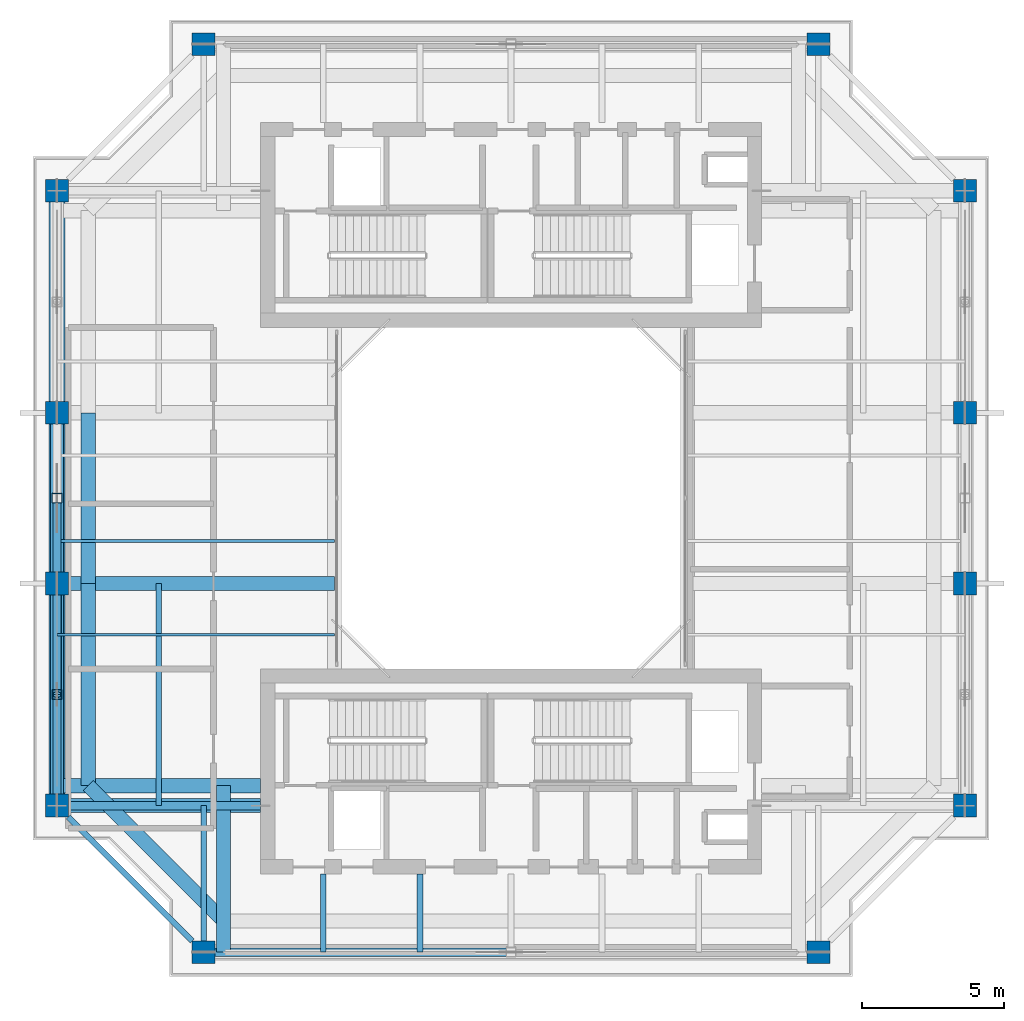
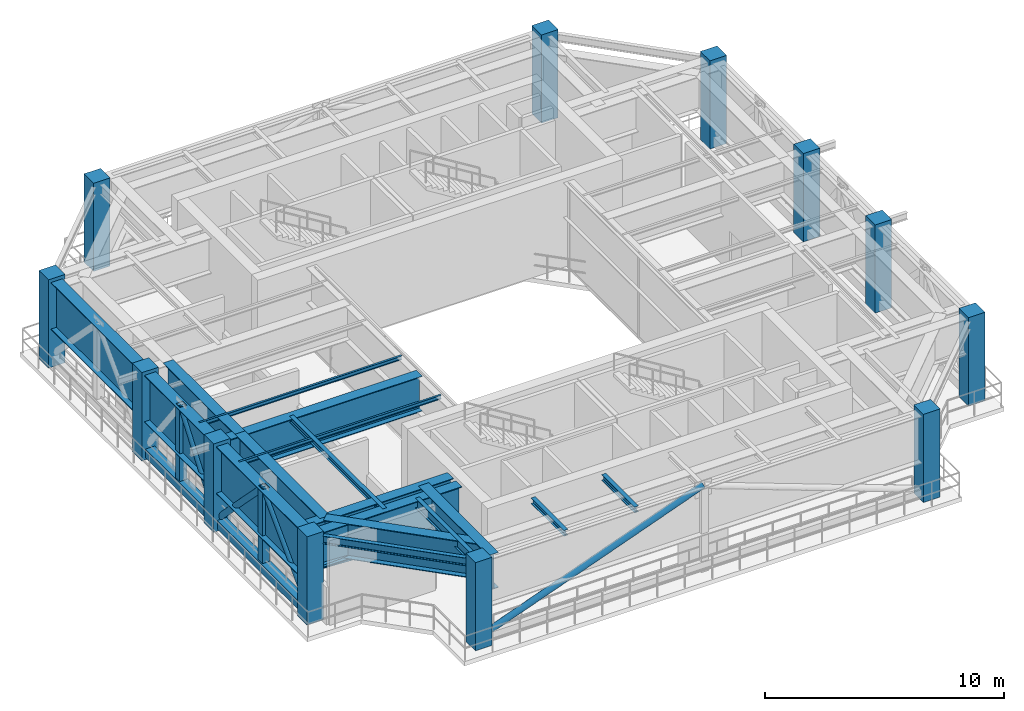
# One storey, part 1 of 10: 15 beams, 12 columns, 9 members.
"""IFC4 building model written with IfcOpenShell, lengths in metres."""

from ifc_helpers import new_model, si_unit, direction, frame, origin, origin_2d, place, context, subcontext, project, spatial, rectangle, hollow_rectangle, hollow_circle, i_section, extrude, source, transform, mapped, material, material_profile, profile_set, type_object, element, save


model = new_model("IFC4")

# Units and contexts
model_context = context("Model", 3, precision=1e-05, world=origin(), true_north=direction((0.0, 1.0)))
body_context = subcontext(model_context, "Body", "Model", "MODEL_VIEW")
ifc_project = project(units=[si_unit("LENGTHUNIT", "METRE"), si_unit("AREAUNIT", "SQUARE_METRE"), si_unit("VOLUMEUNIT", "CUBIC_METRE"), si_unit("PLANEANGLEUNIT", "RADIAN"), si_unit("MASSUNIT", "GRAM", prefix="KILO"), si_unit("THERMODYNAMICTEMPERATUREUNIT", "KELVIN"), si_unit("POWERUNIT", "WATT")], contexts=[model_context])

# Site, building, storey
site_placement = place(None, origin())
site = spatial("IfcSite", under=ifc_project, at=site_placement, CompositionType="ELEMENT")
building_placement = place(site_placement, origin())
building = spatial("IfcBuilding", under=site, at=building_placement, Name="Qiaomeng Ring Towers", CompositionType="ELEMENT")
storey_placement = place(building_placement, frame((0.0, 0.0, 232.75)))
storey = spatial("IfcBuildingStorey", under=building, at=storey_placement, Name="L68", CompositionType="ELEMENT", Elevation=232.75)

# Columns
ifc_material_1 = material(Name="Concrete C40", Category="concrete")
ifc_material_profile_1 = material_profile(ifc_material_1, rectangle(XDim=0.800048828125, YDim=0.800048828125, at=origin_2d()), Name="RC COL 800x800")
ifc_profile_set_1 = profile_set([ifc_material_profile_1], Name="Concrete C40")
column_type = type_object("IfcColumnType", Name="STR-COL-800-C40", PredefinedType="COLUMN", material=ifc_profile_set_1)
shared_shape_1 = source(origin(), body_context, "Body", "SweptSolid", [
    extrude(rectangle(XDim=0.800048828125, YDim=0.800048828125, at=origin_2d()), origin(), (0.0, 0.0, 1.0), 4.5),
])
for number, where, z_axis, x_axis, name in (
    (1, (8.199951171875, 7.050048828125, 0.0), (0.0, 0.0, 1.0), (1.0, 0.0, 0.0), "L68 column STR-COL-L68-T1-S1"),
    (2, (29.800048828125, 7.050048828125, 0.0), (0.0, 0.0, 1.0), (1.0, 0.0, 0.0), "L68 column STR-COL-L68-T1-S2"),
    (3, (34.949951171875, 12.199951171875, 0.0), (0.0, 0.0, 1.0), (1.0, 0.0, 0.0), "L68 column STR-COL-L68-T1-E1"),
    (4, (34.949951171875, 20.0, 0.0), (0.0, 0.0, 1.0), (1.0, 0.0, 0.0), "L68 column STR-COL-L68-T1-E2"),
    (5, (34.949951171875, 26.0, 0.0), (0.0, 0.0, 1.0), (1.0, 0.0, 0.0), "L68 column STR-COL-L68-T1-E3"),
    (6, (34.949951171875, 33.800048828125, 0.0), (0.0, 0.0, 1.0), (1.0, 0.0, 0.0), "L68 column STR-COL-L68-T1-E4"),
    (7, (29.800048828125, 38.949951171875, 0.0), (0.0, 0.0, 1.0), (1.0, 0.0, 0.0), "L68 column STR-COL-L68-T1-N2"),
    (8, (8.199951171875, 38.949951171875, 0.0), (0.0, 0.0, 1.0), (1.0, 0.0, 0.0), "L68 column STR-COL-L68-T1-N1"),
    (9, (3.050048828125, 33.800048828125, 0.0), (0.0, 0.0, 1.0), (1.0, 0.0, 0.0), "L68 column STR-COL-L68-T1-W4"),
    (10, (3.050048828125, 26.0, 0.0), (0.0, 0.0, 1.0), (1.0, 0.0, 0.0), "L68 column STR-COL-L68-T1-W3"),
    (11, (3.050048828125, 20.0, 0.0), (0.0, 0.0, 1.0), (1.0, 0.0, 0.0), "L68 column STR-COL-L68-T1-W2"),
    (12, (3.050048828125, 12.199951171875, 0.0), (0.0, 0.0, 1.0), (1.0, 0.0, 0.0), "L68 column STR-COL-L68-T1-W1"),
):
    element("IfcColumn", number, at=place(storey_placement, frame(where, z_axis=z_axis, x_axis=x_axis)), inside=storey, type_object=column_type, Name=name, PredefinedType="COLUMN", context=body_context, shape_type="MappedRepresentation", body=[
        mapped(shared_shape_1, transform((0.0, 0.0, 0.0), x_axis=(1.0, 0.0, 0.0), y_axis=(0.0, 1.0, 0.0), z_axis=(0.0, 0.0, 1.0), scale=1.0)),
    ])

# Members
ifc_material_2 = material(Name="Steel Q390GJC", Category="steel")
ifc_material_profile_2 = material_profile(ifc_material_2, hollow_rectangle(XDim=0.35009765625, YDim=0.35009765625, WallThickness=0.02001953125, at=origin_2d()), Name="SHS 350x350x20")
ifc_profile_set_2 = profile_set([ifc_material_profile_2], Name="Steel Q390GJC")
member_type_1 = type_object("IfcMemberType", Name="STR-MB-POST-350", PredefinedType="POST", material=ifc_profile_set_2)
shared_shape_2 = source(origin(), body_context, "Body", "SweptSolid", [
    extrude(hollow_rectangle(XDim=0.35009765625, YDim=0.35009765625, WallThickness=0.02001953125, at=origin_2d()), origin(), (0.0, 0.0, 1.0), 4.0),
])
for number, where, z_axis, x_axis, name in (
    (13, (3.050048828125, 23.0, 0.320068359375), (0.0, 0.0, 1.0), (1.0, 0.0, 0.0), "L68 Belt Truss Post W3-W2"),
    (14, (3.050048828125, 16.10009765625, 0.320068359375), (0.0, 0.0, 1.0), (1.0, 0.0, 0.0), "L68 Belt Truss Post W2-W1"),
):
    element("IfcMember", number, at=place(storey_placement, frame(where, z_axis=z_axis, x_axis=x_axis)), inside=storey, type_object=member_type_1, Name=name, PredefinedType="POST", context=body_context, shape_type="MappedRepresentation", body=[
        mapped(shared_shape_2, transform((0.0, 0.0, 0.0), x_axis=(1.0, 0.0, 0.0), y_axis=(0.0, 1.0, 0.0), z_axis=(0.0, 0.0, 1.0), scale=1.0)),
    ])

# Beam
ifc_material_profile_3 = material_profile(ifc_material_2, i_section(OverallWidth=0.5, OverallDepth=1.800048828125, WebThickness=0.02392578125, FlangeThickness=0.035888671875, at=origin_2d()), Name="WH 1800x500x24x36")
ifc_profile_set_3 = profile_set([ifc_material_profile_3], Name="Steel Q390GJC")
beam_type_1 = type_object("IfcBeamType", Name="STR-TG-WH1800", PredefinedType="USERDEFINED", material=ifc_profile_set_3)
shared_shape_3 = source(origin(), body_context, "Body", "SweptSolid", [
    extrude(i_section(OverallWidth=0.5, OverallDepth=1.800048828125, WebThickness=0.02392578125, FlangeThickness=0.035888671875, at=origin_2d()), origin(), (0.0, 0.0, 1.0), 6.0),
])
beam_1_placement = place(storey_placement, frame((4.14990234375, 26.0, 3.419921875), z_axis=(0.0, -1.0, 0.0), x_axis=(1.0, 0.0, 0.0)))
element("IfcBeam", 15, at=beam_1_placement, inside=storey, type_object=beam_type_1, Name="L68 Transfer Girder STR-TG3-L68-W3-W2", ObjectType="TRANSFER GIRDER", PredefinedType="USERDEFINED", context=body_context, shape_type="MappedRepresentation", body=[
    mapped(shared_shape_3, transform((0.0, 0.0, 0.0), x_axis=(1.0, 0.0, 0.0), y_axis=(0.0, 1.0, 0.0), z_axis=(0.0, 0.0, 1.0), scale=1.0)),
])

# Member
ifc_material_profile_4 = material_profile(ifc_material_2, hollow_rectangle(XDim=0.449951171875, YDim=0.449951171875, WallThickness=0.028076171875, at=origin_2d()), Name="SHS 450x450x28")
ifc_profile_set_4 = profile_set([ifc_material_profile_4], Name="Steel Q390GJC")
member_type_2 = type_object("IfcMemberType", Name="STR-MB-CHORD-450", PredefinedType="CHORD", material=ifc_profile_set_4)
shared_shape_4 = source(origin(), body_context, "Body", "SweptSolid", [
    extrude(hollow_rectangle(XDim=0.449951171875, YDim=0.449951171875, WallThickness=0.028076171875, at=origin_2d()), origin(), (0.0, 0.0, 1.0), 6.0),
])
member_1_placement = place(storey_placement, frame((3.050048828125, 26.0, 0.320068359375), z_axis=(0.0, -1.0, 0.0), x_axis=(1.0, 0.0, 0.0)))
element("IfcMember", 16, at=member_1_placement, inside=storey, type_object=member_type_2, Name="L68 Belt Truss Bottom Chord W3-W2", PredefinedType="CHORD", context=body_context, shape_type="MappedRepresentation", body=[
    mapped(shared_shape_4, transform((0.0, 0.0, 0.0), x_axis=(1.0, 0.0, 0.0), y_axis=(0.0, 1.0, 0.0), z_axis=(0.0, 0.0, 1.0), scale=1.0)),
])

# Beams
ifc_material_3 = material(Name="Steel Q355B", Category="steel")
ifc_material_profile_5 = material_profile(ifc_material_3, i_section(OverallWidth=0.198974609375, OverallDepth=0.39599609375, WebThickness=0.007080078125, FlangeThickness=0.010986328125, FilletRadius=0.01611328125, at=origin_2d()), Name="HN 396x199x7x11")
ifc_profile_set_5 = profile_set([ifc_material_profile_5], Name="Steel Q355B")
beam_type_2 = type_object("IfcBeamType", Name="STR-BM-HN396", PredefinedType="SPANDREL", material=ifc_profile_set_5)
shared_shape_5 = source(origin(), body_context, "Body", "SweptSolid", [
    extrude(i_section(OverallWidth=0.198974609375, OverallDepth=0.39599609375, WebThickness=0.007080078125, FlangeThickness=0.010986328125, FilletRadius=0.01611328125, at=origin_2d()), origin(), (0.0, 0.0, 1.0), 6.154052734375),
])
beam_2_placement = place(storey_placement, frame((3.44921875, 11.80078125, 4.1220703125), z_axis=(0.707106781187, -0.707106781187, 0.0), x_axis=(0.707106781187, 0.707106781187, 0.0)))
element("IfcBeam", 17, at=beam_2_placement, inside=storey, type_object=beam_type_2, Name="L68 beam STR-SP-L68-T1-W1-S1", PredefinedType="SPANDREL", context=body_context, shape_type="MappedRepresentation", body=[
    mapped(shared_shape_5, transform((0.0, 0.0, 0.0), x_axis=(1.0, 0.0, 0.0), y_axis=(0.0, 1.0, 0.0), z_axis=(0.0, 0.0, 1.0), scale=1.0)),
])
ifc_material_profile_6 = material_profile(ifc_material_3, i_section(OverallWidth=0.199951171875, OverallDepth=0.2939453125, WebThickness=0.008056640625, FlangeThickness=0.011962890625, FilletRadius=0.01806640625, at=origin_2d()), Name="HM 294x200x8x12")
ifc_profile_set_6 = profile_set([ifc_material_profile_6], Name="Steel Q355B")
beam_type_3 = type_object("IfcBeamType", Name="STR-BM-HM294", PredefinedType="JOIST", material=ifc_profile_set_6)
shared_shape_6 = source(origin(), body_context, "Body", "SweptSolid", [
    extrude(i_section(OverallWidth=0.199951171875, OverallDepth=0.2939453125, WebThickness=0.008056640625, FlangeThickness=0.011962890625, FilletRadius=0.01806640625, at=origin_2d()), origin(), (0.0, 0.0, 1.0), 2.75),
])
for number, where, z_axis, x_axis, name in (
    (18, (12.39990234375, 7.050048828125, 4.173095703125), (0.0, 1.0, 0.0), (-1.0, 0.0, 0.0), "L68 beam STR-JST-L68-T1S-1"),
    (19, (15.800048828125, 7.050048828125, 4.173095703125), (0.0, 1.0, 0.0), (-1.0, 0.0, 0.0), "L68 beam STR-JST-L68-T1S-2"),
):
    element("IfcBeam", number, at=place(storey_placement, frame(where, z_axis=z_axis, x_axis=x_axis)), inside=storey, type_object=beam_type_3, Name=name, PredefinedType="JOIST", context=body_context, shape_type="MappedRepresentation", body=[
        mapped(shared_shape_6, transform((0.0, 0.0, 0.0), x_axis=(1.0, 0.0, 0.0), y_axis=(0.0, 1.0, 0.0), z_axis=(0.0, 0.0, 1.0), scale=1.0)),
    ])
ifc_material_profile_7 = material_profile(ifc_material_3, i_section(OverallWidth=0.10009765625, OverallDepth=0.199951171875, WebThickness=0.005615234375, FlangeThickness=0.008056640625, FilletRadius=0.010986328125, at=origin_2d()), Name="HN 200x100x5.5x8")
ifc_profile_set_7 = profile_set([ifc_material_profile_7], Name="Steel Q355B")
beam_type_4 = type_object("IfcBeamType", Name="STR-BM-HN200", PredefinedType="JOIST", material=ifc_profile_set_7)
shared_shape_7 = source(origin(), body_context, "Body", "SweptSolid", [
    extrude(i_section(OverallWidth=0.10009765625, OverallDepth=0.199951171875, WebThickness=0.005615234375, FlangeThickness=0.008056640625, FilletRadius=0.010986328125, at=origin_2d()), origin(), (0.0, 0.0, 1.0), 9.75),
])
for number, where, z_axis, x_axis, name in (
    (20, (3.050048828125, 18.199951171875, 4.219970703125), (1.0, 0.0, 0.0), (0.0, 1.0, 0.0), "L68 beam STR-JST-L68-T1W-1"),
    (21, (3.050048828125, 21.5, 4.219970703125), (1.0, 0.0, 0.0), (0.0, 1.0, 0.0), "L68 beam STR-JST-L68-T1W-2"),
):
    element("IfcBeam", number, at=place(storey_placement, frame(where, z_axis=z_axis, x_axis=x_axis)), inside=storey, type_object=beam_type_4, Name=name, PredefinedType="JOIST", context=body_context, shape_type="MappedRepresentation", body=[
        mapped(shared_shape_7, transform((0.0, 0.0, 0.0), x_axis=(1.0, 0.0, 0.0), y_axis=(0.0, 1.0, 0.0), z_axis=(0.0, 0.0, 1.0), scale=1.0)),
    ])
shared_shape_8 = source(origin(), body_context, "Body", "SweptSolid", [
    extrude(i_section(OverallWidth=0.199951171875, OverallDepth=0.2939453125, WebThickness=0.008056640625, FlangeThickness=0.011962890625, FilletRadius=0.01806640625, at=origin_2d()), origin(), (0.0, 0.0, 1.0), 7.800048828125),
])
beam_3_placement = place(storey_placement, frame((6.625, 12.199951171875, 4.173095703125), z_axis=(0.0, 1.0, 0.0), x_axis=(-1.0, 0.0, 0.0)))
element("IfcBeam", 22, at=beam_3_placement, inside=storey, type_object=beam_type_3, Name="L68 beam STR-JST-L68-T1C-WS", PredefinedType="JOIST", context=body_context, shape_type="MappedRepresentation", body=[
    mapped(shared_shape_8, transform((0.0, 0.0, 0.0), x_axis=(1.0, 0.0, 0.0), y_axis=(0.0, 1.0, 0.0), z_axis=(0.0, 0.0, 1.0), scale=1.0)),
])
ifc_material_profile_8 = material_profile(ifc_material_3, i_section(OverallWidth=0.198974609375, OverallDepth=0.49609375, WebThickness=0.009033203125, FlangeThickness=0.013916015625, FilletRadius=0.01806640625, at=origin_2d()), Name="HN 496x199x9x14")
ifc_profile_set_8 = profile_set([ifc_material_profile_8], Name="Steel Q355B")
beam_type_5 = type_object("IfcBeamType", Name="STR-BM-HN496", PredefinedType="BEAM", material=ifc_profile_set_8)
shared_shape_9 = source(origin(), body_context, "Body", "SweptSolid", [
    extrude(i_section(OverallWidth=0.198974609375, OverallDepth=0.49609375, WebThickness=0.009033203125, FlangeThickness=0.013916015625, FilletRadius=0.01806640625, at=origin_2d()), origin(), (0.0, 0.0, 1.0), 4.7509765625),
])
beam_4_placement = place(storey_placement, frame((8.199951171875, 7.448974609375, 4.072021484375), z_axis=(0.0, 1.0, 0.0), x_axis=(-1.0, 0.0, 0.0)))
element("IfcBeam", 23, at=beam_4_placement, inside=storey, type_object=beam_type_5, Name="L68 beam STR-BM-L68-T1-RAD-S1", PredefinedType="BEAM", context=body_context, shape_type="MappedRepresentation", body=[
    mapped(shared_shape_9, transform((0.0, 0.0, 0.0), x_axis=(1.0, 0.0, 0.0), y_axis=(0.0, 1.0, 0.0), z_axis=(0.0, 0.0, 1.0), scale=1.0)),
])
ifc_material_profile_9 = material_profile(ifc_material_2, i_section(OverallWidth=0.550048828125, OverallDepth=2.39990234375, WebThickness=0.02587890625, FlangeThickness=0.035888671875, at=origin_2d()), Name="WH 2400x550x26x36")
ifc_profile_set_9 = profile_set([ifc_material_profile_9], Name="Steel Q390GJC")
beam_type_6 = type_object("IfcBeamType", Name="STR-TG-WH2400", PredefinedType="USERDEFINED", material=ifc_profile_set_9)
shared_shape_10 = source(origin(), body_context, "Body", "SweptSolid", [
    extrude(i_section(OverallWidth=0.550048828125, OverallDepth=2.39990234375, WebThickness=0.02587890625, FlangeThickness=0.035888671875, at=origin_2d()), origin(), (0.0, 0.0, 1.0), 20.8017578125),
])
beam_5_placement = place(storey_placement, frame((3.050048828125, 12.59912109375, 3.1201171875), z_axis=(0.0, 1.0, 0.0), x_axis=(-1.0, 0.0, 0.0)))
element("IfcBeam", 24, at=beam_5_placement, inside=storey, type_object=beam_type_6, Name="L68 Transfer Girder STR-TG2-L68-OUT-W", ObjectType="TRANSFER GIRDER", PredefinedType="USERDEFINED", context=body_context, shape_type="MappedRepresentation", body=[
    mapped(shared_shape_10, transform((0.0, 0.0, 0.0), x_axis=(1.0, 0.0, 0.0), y_axis=(0.0, 1.0, 0.0), z_axis=(0.0, 0.0, 1.0), scale=1.0)),
])
shared_shape_11 = source(origin(), body_context, "Body", "SweptSolid", [
    extrude(i_section(OverallWidth=0.5, OverallDepth=1.800048828125, WebThickness=0.02392578125, FlangeThickness=0.035888671875, at=origin_2d()), origin(), (0.0, 0.0, 1.0), 6.7509765625),
])
beam_6_placement = place(storey_placement, frame((3.448974609375, 12.199951171875, 3.419921875), z_axis=(1.0, 0.0, 0.0), x_axis=(0.0, 1.0, 0.0)))
element("IfcBeam", 25, at=beam_6_placement, inside=storey, type_object=beam_type_1, Name="L68 Transfer Girder STR-TG2-L68-W1-CUR", ObjectType="TRANSFER GIRDER", PredefinedType="USERDEFINED", context=body_context, shape_type="MappedRepresentation", body=[
    mapped(shared_shape_11, transform((0.0, 0.0, 0.0), x_axis=(1.0, 0.0, 0.0), y_axis=(0.0, 1.0, 0.0), z_axis=(0.0, 0.0, 1.0), scale=1.0)),
])
shared_shape_12 = source(origin(), body_context, "Body", "SweptSolid", [
    extrude(i_section(OverallWidth=0.5, OverallDepth=1.800048828125, WebThickness=0.02392578125, FlangeThickness=0.035888671875, at=origin_2d()), origin(), (0.0, 0.0, 1.0), 7.14990234375),
])
beam_7_placement = place(storey_placement, frame((3.050048828125, 12.89990234375, 3.419921875), z_axis=(1.0, 0.0, 0.0), x_axis=(0.0, 1.0, 0.0)))
element("IfcBeam", 26, at=beam_7_placement, inside=storey, type_object=beam_type_1, Name="L68 Transfer Girder STR-TG2-L68-W1-NXT", ObjectType="TRANSFER GIRDER", PredefinedType="USERDEFINED", context=body_context, shape_type="MappedRepresentation", body=[
    mapped(shared_shape_12, transform((0.0, 0.0, 0.0), x_axis=(1.0, 0.0, 0.0), y_axis=(0.0, 1.0, 0.0), z_axis=(0.0, 0.0, 1.0), scale=1.0)),
])
shared_shape_13 = source(origin(), body_context, "Body", "SweptSolid", [
    extrude(i_section(OverallWidth=0.5, OverallDepth=1.800048828125, WebThickness=0.02392578125, FlangeThickness=0.035888671875, at=origin_2d()), origin(), (0.0, 0.0, 1.0), 9.35107421875),
])
beam_8_placement = place(storey_placement, frame((3.448974609375, 20.0, 3.419921875), z_axis=(1.0, 0.0, 0.0), x_axis=(0.0, 1.0, 0.0)))
element("IfcBeam", 27, at=beam_8_placement, inside=storey, type_object=beam_type_1, Name="L68 Transfer Girder STR-TG2-L68-W2", ObjectType="TRANSFER GIRDER", PredefinedType="USERDEFINED", context=body_context, shape_type="MappedRepresentation", body=[
    mapped(shared_shape_13, transform((0.0, 0.0, 0.0), x_axis=(1.0, 0.0, 0.0), y_axis=(0.0, 1.0, 0.0), z_axis=(0.0, 0.0, 1.0), scale=1.0)),
])
shared_shape_14 = source(origin(), body_context, "Body", "SweptSolid", [
    extrude(i_section(OverallWidth=0.5, OverallDepth=1.800048828125, WebThickness=0.02392578125, FlangeThickness=0.035888671875, at=origin_2d()), origin(), (0.0, 0.0, 1.0), 5.849853515625),
])
beam_9_placement = place(storey_placement, frame((8.89990234375, 7.050048828125, 3.419921875), z_axis=(0.0, 1.0, 0.0), x_axis=(-1.0, 0.0, 0.0)))
element("IfcBeam", 28, at=beam_9_placement, inside=storey, type_object=beam_type_1, Name="L68 Transfer Girder STR-TG2-L68-S1", ObjectType="TRANSFER GIRDER", PredefinedType="USERDEFINED", context=body_context, shape_type="MappedRepresentation", body=[
    mapped(shared_shape_14, transform((0.0, 0.0, 0.0), x_axis=(1.0, 0.0, 0.0), y_axis=(0.0, 1.0, 0.0), z_axis=(0.0, 0.0, 1.0), scale=1.0)),
])
shared_shape_15 = source(origin(), body_context, "Body", "SweptSolid", [
    extrude(i_section(OverallWidth=0.5, OverallDepth=1.800048828125, WebThickness=0.02392578125, FlangeThickness=0.035888671875, at=origin_2d()), origin(), (0.0, 0.0, 1.0), 6.717529296875),
])
beam_10_placement = place(storey_placement, frame((4.14990234375, 12.89990234375, 3.419921875), z_axis=(0.707106781187, -0.707106781187, 0.0), x_axis=(0.707106781187, 0.707106781187, 0.0)))
element("IfcBeam", 29, at=beam_10_placement, inside=storey, type_object=beam_type_1, Name="L68 Transfer Girder STR-TG3-L68-W1-S1", ObjectType="TRANSFER GIRDER", PredefinedType="USERDEFINED", context=body_context, shape_type="MappedRepresentation", body=[
    mapped(shared_shape_15, transform((0.0, 0.0, 0.0), x_axis=(1.0, 0.0, 0.0), y_axis=(0.0, 1.0, 0.0), z_axis=(0.0, 0.0, 1.0), scale=1.0)),
])
shared_shape_16 = source(origin(), body_context, "Body", "SweptSolid", [
    extrude(i_section(OverallWidth=0.5, OverallDepth=1.800048828125, WebThickness=0.02392578125, FlangeThickness=0.035888671875, at=origin_2d()), origin(), (0.0, 0.0, 1.0), 7.10009765625),
])
beam_11_placement = place(storey_placement, frame((4.14990234375, 20.0, 3.419921875), z_axis=(0.0, -1.0, 0.0), x_axis=(1.0, 0.0, 0.0)))
element("IfcBeam", 30, at=beam_11_placement, inside=storey, type_object=beam_type_1, Name="L68 Transfer Girder STR-TG3-L68-W2-W1", ObjectType="TRANSFER GIRDER", PredefinedType="USERDEFINED", context=body_context, shape_type="MappedRepresentation", body=[
    mapped(shared_shape_16, transform((0.0, 0.0, 0.0), x_axis=(1.0, 0.0, 0.0), y_axis=(0.0, 1.0, 0.0), z_axis=(0.0, 0.0, 1.0), scale=1.0)),
])

# Members
ifc_material_profile_10 = material_profile(ifc_material_2, hollow_circle(Radius=0.1494140625, WallThickness=0.01611328125, at=origin_2d()), Name="CHS 299x16")
ifc_profile_set_10 = profile_set([ifc_material_profile_10], Name="Steel Q390GJC")
member_type_3 = type_object("IfcMemberType", Name="STR-MB-BR-299", PredefinedType="BRACE", material=ifc_profile_set_10)
shared_shape_17 = source(origin(), body_context, "Body", "SweptSolid", [
    extrude(hollow_circle(Radius=0.1494140625, WallThickness=0.01611328125, at=origin_2d()), origin(), (0.0, 0.0, 1.0), 11.510009765625),
])
member_2_placement = place(storey_placement, frame((8.199951171875, 7.050048828125, 0.320068359375), z_axis=(0.938314504514, 0.0, 0.345783010887), x_axis=(0.0, 1.0, 0.0)))
element("IfcMember", 31, at=member_2_placement, inside=storey, type_object=member_type_3, Name="L68 Belt Truss Diagonal S1-M", PredefinedType="BRACE", context=body_context, shape_type="MappedRepresentation", body=[
    mapped(shared_shape_17, transform((0.0, 0.0, 0.0), x_axis=(1.0, 0.0, 0.0), y_axis=(0.0, 1.0, 0.0), z_axis=(0.0, 0.0, 1.0), scale=1.0)),
])
shared_shape_18 = source(origin(), body_context, "Body", "SweptSolid", [
    extrude(hollow_rectangle(XDim=0.449951171875, YDim=0.449951171875, WallThickness=0.028076171875, at=origin_2d()), origin(), (0.0, 0.0, 1.0), 7.800048828125),
])
member_3_placement = place(storey_placement, frame((3.050048828125, 20.0, 0.320068359375), z_axis=(0.0, -1.0, 0.0), x_axis=(1.0, 0.0, 0.0)))
element("IfcMember", 32, at=member_3_placement, inside=storey, type_object=member_type_2, Name="L68 Belt Truss Bottom Chord W2-W1", PredefinedType="CHORD", context=body_context, shape_type="MappedRepresentation", body=[
    mapped(shared_shape_18, transform((0.0, 0.0, 0.0), x_axis=(1.0, 0.0, 0.0), y_axis=(0.0, 1.0, 0.0), z_axis=(0.0, 0.0, 1.0), scale=1.0)),
])
shared_shape_19 = source(origin(), body_context, "Body", "SweptSolid", [
    extrude(hollow_circle(Radius=0.1494140625, WallThickness=0.01611328125, at=origin_2d()), origin(), (0.0, 0.0, 1.0), 5.572265625),
])
for number, where, z_axis, x_axis, name in (
    (33, (3.050048828125, 20.0, 0.320068359375), (0.0, -0.699884775987, 0.714255766754), (1.0, 0.0, 0.0), "L68 Belt Truss Diagonal W2-M"),
    (34, (3.050048828125, 12.199951171875, 0.320068359375), (0.0, 0.699907127164, 0.714233864603), (-1.0, 0.0, 0.0), "L68 Belt Truss Diagonal W1-M"),
):
    element("IfcMember", number, at=place(storey_placement, frame(where, z_axis=z_axis, x_axis=x_axis)), inside=storey, type_object=member_type_3, Name=name, PredefinedType="BRACE", context=body_context, shape_type="MappedRepresentation", body=[
        mapped(shared_shape_19, transform((0.0, 0.0, 0.0), x_axis=(1.0, 0.0, 0.0), y_axis=(0.0, 1.0, 0.0), z_axis=(0.0, 0.0, 1.0), scale=1.0)),
    ])
shared_shape_20 = source(origin(), body_context, "Body", "SweptSolid", [
    extrude(hollow_circle(Radius=0.1494140625, WallThickness=0.01611328125, at=origin_2d()), origin(), (0.0, 0.0, 1.0), 4.98388671875),
])
member_4_placement = place(storey_placement, frame((3.050048828125, 20.0, 0.320068359375), z_axis=(0.0, 0.601926302674, 0.798551642757), x_axis=(-1.0, 0.0, 0.0)))
element("IfcMember", 35, at=member_4_placement, inside=storey, type_object=member_type_3, Name="L68 Belt Truss Diagonal W2-M", PredefinedType="BRACE", context=body_context, shape_type="MappedRepresentation", body=[
    mapped(shared_shape_20, transform((0.0, 0.0, 0.0), x_axis=(1.0, 0.0, 0.0), y_axis=(0.0, 1.0, 0.0), z_axis=(0.0, 0.0, 1.0), scale=1.0)),
])
shared_shape_21 = source(origin(), body_context, "Body", "SweptSolid", [
    extrude(hollow_circle(Radius=0.1494140625, WallThickness=0.01611328125, at=origin_2d()), origin(), (0.0, 0.0, 1.0), 7.158447265625),
])
member_5_placement = place(storey_placement, frame((10.199951171875, 12.199951171875, 2.14990234375), z_axis=(-0.998803347378, 0.0, 0.048906781402), x_axis=(0.0, -1.0, 0.0)))
element("IfcMember", 36, at=member_5_placement, inside=storey, type_object=member_type_3, Name="L68 Core Outrigger Truss Diagonal W1", PredefinedType="BRACE", context=body_context, shape_type="MappedRepresentation", body=[
    mapped(shared_shape_21, transform((0.0, 0.0, 0.0), x_axis=(1.0, 0.0, 0.0), y_axis=(0.0, 1.0, 0.0), z_axis=(0.0, 0.0, 1.0), scale=1.0)),
])

save(model, "model.ifc")
